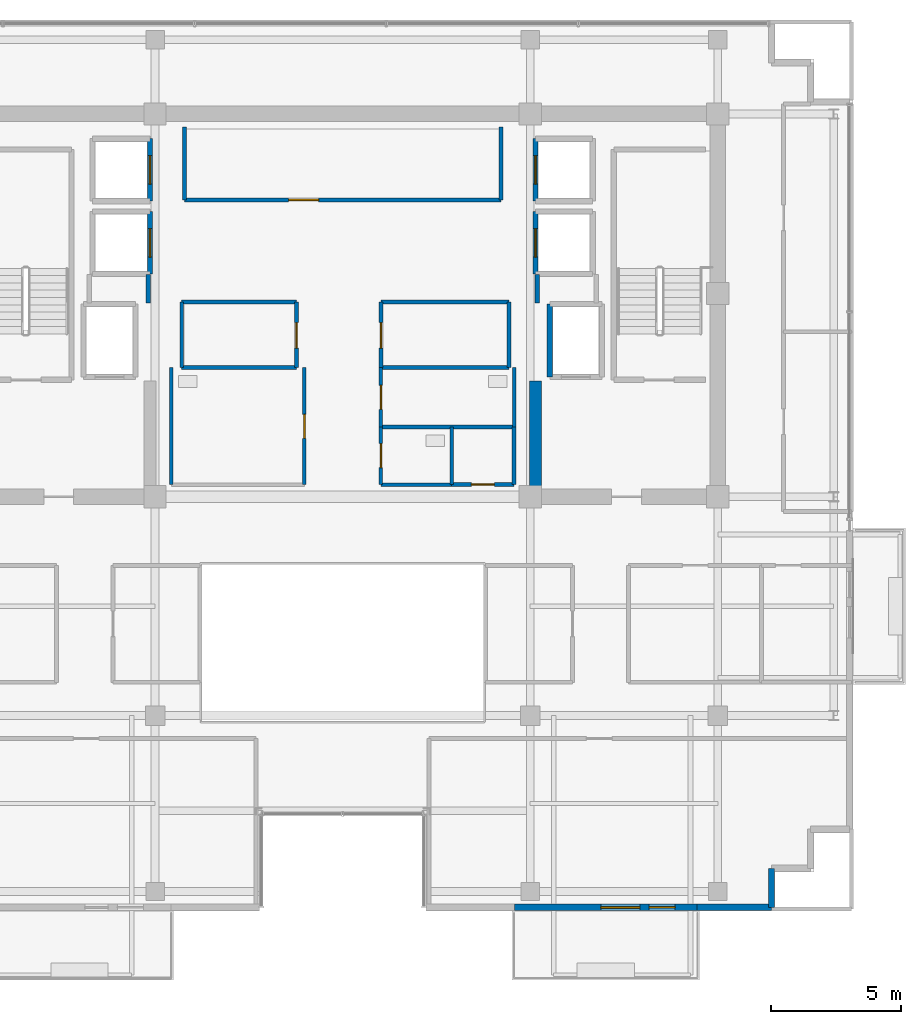
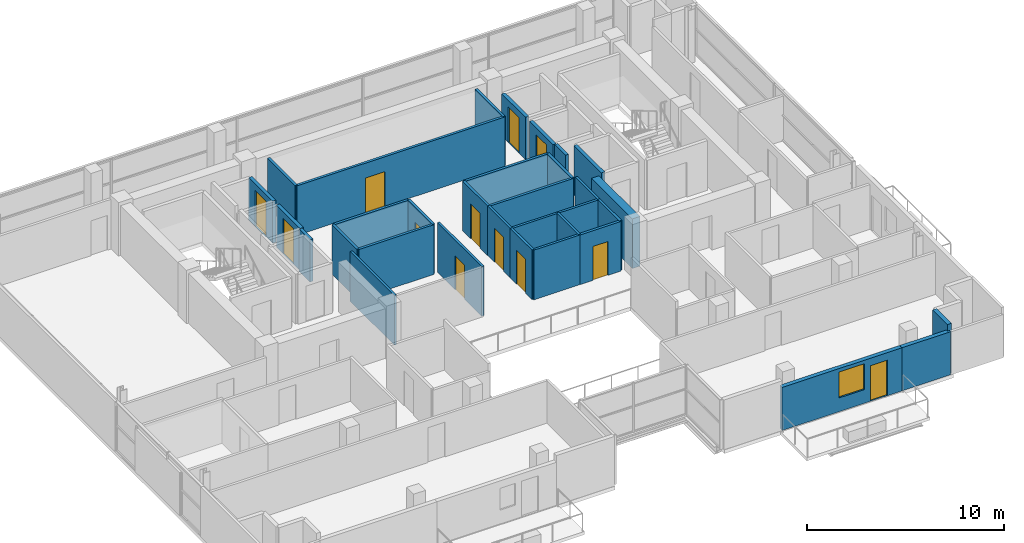
# One storey, part 17 of 23: 32 walls, 12 doors, 1 window, 13 openings.
"""IFC4 building model written with IfcOpenShell, lengths in metres."""

from ifc_helpers import new_model, si_unit, direction, frame, frame_2d, origin, place, context, subcontext, project, spatial, rectangle, extrude, source, transform, mapped, material, layer, layer_set, type_object, element, fill, save


model = new_model("IFC4")

# Units and contexts
model_context = context("Model", 3, precision=1e-05, world=origin(), true_north=direction((0.0, 1.0)))
body_context = subcontext(model_context, "Body", "Model", "MODEL_VIEW")
ifc_project = project(units=[si_unit("LENGTHUNIT", "METRE"), si_unit("AREAUNIT", "SQUARE_METRE"), si_unit("VOLUMEUNIT", "CUBIC_METRE"), si_unit("PLANEANGLEUNIT", "RADIAN"), si_unit("MASSUNIT", "GRAM", prefix="KILO")], contexts=[model_context])

# Site, building, storey
site_placement = place(None, origin())
site = spatial("IfcSite", under=ifc_project, at=site_placement, CompositionType="ELEMENT")
building_placement = place(site_placement, origin())
building = spatial("IfcBuilding", under=site, at=building_placement, Name="Zarnakvel Exchange Tower", CompositionType="ELEMENT")
storey_placement = place(building_placement, frame((0.0, 0.0, 218.800048828125)))
storey = spatial("IfcBuildingStorey", under=building, at=storey_placement, Name="L61", CompositionType="ELEMENT", Elevation=218.800048828125)

# Wall
ifc_material_1 = material(Name="Concrete C50/60", Category="concrete")
ifc_layer_1 = layer(ifc_material_1, 0.449951171875)
ifc_layer_set_1 = layer_set([ifc_layer_1], Name="Concrete C50/60")
wall_type_1 = type_object("IfcWallType", Name="CW-C6", PredefinedType="SHEAR", material=ifc_layer_set_1)
wall_1_placement = place(storey_placement, frame((7.39990234375, -0.89990234375, 0.0), z_axis=(0.0, 0.0, 1.0), x_axis=(0.0, 1.0, 0.0)))
element("IfcWall", 1, at=wall_1_placement, inside=storey, type_object=wall_type_1, Name="L61 Rear Core Shear Wall IE (CW-C6)", PredefinedType="SHEAR", context=body_context, shape_type="SweptSolid", body=[
    extrude(rectangle(XDim=4.14990234375, YDim=0.449951171875, at=frame_2d((2.074951171875, 0.0))), origin(), (0.0, 0.0, 1.0), 3.074951171875),
])

# Wall, openings, door, window
ifc_material_2 = material(Name="Precast concrete C40/50", Category="concrete")
ifc_layer_2 = layer(ifc_material_2, 0.239990234375)
ifc_layer_set_2 = layer_set([ifc_layer_2], Name="Precast concrete C40/50")
wall_type_2 = type_object("IfcWallType", Name="EW-02", PredefinedType="SOLIDWALL", material=ifc_layer_set_2)
wall_2_placement = place(storey_placement, frame((13.60009765625, -16.9599609375, 0.0), z_axis=(0.0, 0.0, 1.0), x_axis=(-1.0, 0.0, 0.0)))
wall_2 = element("IfcWall", 2, at=wall_2_placement, inside=storey, type_object=wall_type_2, Name="L61 Exterior Precast Spandrel Wall EW-BAL-L61-SE (EW-02)", PredefinedType="SOLIDWALL", context=body_context, shape_type="SweptSolid", body=[
    extrude(rectangle(XDim=7.0, YDim=0.239990234375, at=frame_2d((3.5, 0.0))), origin(), (0.0, 0.0, 1.0), 2.6650390625),
])
opening_1_placement = place(wall_2_placement, frame((0.840087890625, 0.0, 0.0)))
opening_1 = element("IfcOpeningElement", 3, at=opening_1_placement, cuts=wall_2, Name="Opening BD-L61-02", PredefinedType="OPENING", context=body_context, shape_type="SweptSolid", body=[
    extrude(rectangle(XDim=1.0, YDim=2.199951171875, at=frame_2d((0.5, 1.10009765625))), frame((0.0, 0.1298828125, 0.0), z_axis=(0.0, -1.0, 0.0), x_axis=(1.0, 0.0, 0.0)), (0.0, 0.0, 1.0), 0.260009765625),
])
opening_2_placement = place(wall_2_placement, frame((2.18994140625, 0.0, 0.85009765625)))
opening_2 = element("IfcOpeningElement", 4, at=opening_2_placement, cuts=wall_2, Name="Opening WN-03", PredefinedType="OPENING", context=body_context, shape_type="SweptSolid", body=[
    extrude(rectangle(XDim=1.5, YDim=1.60009765625, at=frame_2d((0.75, 0.800048828125))), frame((0.0, 0.1298828125, 0.0), z_axis=(0.0, -1.0, 0.0), x_axis=(1.0, 0.0, 0.0)), (0.0, 0.0, 1.0), 0.260009765625),
])
ifc_material_3 = material(Name="Architectural Bronze Anodised Aluminium", Category="aluminium")
door_type_1 = type_object("IfcDoorType", Name="DT-09", OperationType="NOTDEFINED", PredefinedType="DOOR", material=ifc_material_3)
shared_shape_1 = source(origin(), body_context, "Body", "SweptSolid", [
    extrude(rectangle(XDim=1.0, YDim=2.199951171875, at=frame_2d((0.5, 1.10009765625))), frame((0.0, 0.02490234375, 0.0), z_axis=(0.0, -1.0, 0.0), x_axis=(1.0, 0.0, 0.0)), (0.0, 0.0, 1.0), 0.050048828125),
])
door_1_placement = place(opening_1_placement, origin())
door_1 = element("IfcDoor", 5, at=door_1_placement, inside=storey, type_object=door_type_1, Name="L61 Planted Loggia Balcony Door BD-L61-02", OperationType="SINGLE_SWING_RIGHT", OverallHeight=2.199951171875, OverallWidth=1.0, PredefinedType="DOOR", context=body_context, shape_type="MappedRepresentation", body=[
    mapped(shared_shape_1, transform((0.0, 0.0, 0.0), x_axis=(1.0, 0.0, 0.0), y_axis=(0.0, 1.0, 0.0), z_axis=(0.0, 0.0, 1.0), scale=1.0)),
])
fill(opening_1, door_1)
ifc_material_4 = material(Name="Double Low-E Laminated Vision Glass", Category="glass")
window_type = type_object("IfcWindowType", Name="WN-03", PartitioningType="SINGLE_PANEL", PredefinedType="WINDOW", material=ifc_material_4)
shared_shape_2 = source(origin(), body_context, "Body", "SweptSolid", [
    extrude(rectangle(XDim=1.5, YDim=1.60009765625, at=frame_2d((0.75, 0.800048828125))), frame((0.0, 0.030029296875, 0.0), z_axis=(0.0, -1.0, 0.0), x_axis=(1.0, 0.0, 0.0)), (0.0, 0.0, 1.0), 0.06005859375),
])
window_placement = place(opening_2_placement, origin())
window = element("IfcWindow", 6, at=window_placement, inside=storey, type_object=window_type, Name="L61 Loggia Daylight Window (WN-03)", OverallHeight=1.60009765625, OverallWidth=1.5, PartitioningType="SINGLE_PANEL", PredefinedType="WINDOW", context=body_context, shape_type="MappedRepresentation", body=[
    mapped(shared_shape_2, transform((0.0, 0.0, 0.0), x_axis=(1.0, 0.0, 0.0), y_axis=(0.0, 1.0, 0.0), z_axis=(0.0, 0.0, 1.0), scale=1.0)),
])
fill(opening_2, window)

# Walls
wall_3_placement = place(storey_placement, frame((16.4599609375, -16.9599609375, 0.0), z_axis=(0.0, 0.0, 1.0), x_axis=(0.0, 1.0, 0.0)))
element("IfcWall", 7, at=wall_3_placement, inside=storey, type_object=wall_type_2, Name="L61 Exterior Precast Spandrel Wall EWC-L61-14 (EW-02)", PredefinedType="SOLIDWALL", context=body_context, shape_type="SweptSolid", body=[
    extrude(rectangle(XDim=1.5, YDim=0.239990234375, at=frame_2d((0.75, 0.0))), origin(), (0.0, 0.0, 1.0), 3.074951171875),
])
wall_4_placement = place(storey_placement, frame((13.60009765625, -16.9599609375, 0.0), z_axis=(0.0, 0.0, 1.0), x_axis=(1.0, 0.0, 0.0)))
element("IfcWall", 8, at=wall_4_placement, inside=storey, type_object=wall_type_2, Name="L61 Exterior Precast Spandrel Wall EWC-L61-15 (EW-02)", PredefinedType="SOLIDWALL", context=body_context, shape_type="SweptSolid", body=[
    extrude(rectangle(XDim=2.85986328125, YDim=0.239990234375, at=frame_2d((1.429931640625, 0.0))), origin(), (0.0, 0.0, 1.0), 2.6650390625),
])

# Wall, opening, door
ifc_material_5 = material(Name="Fire-Rated Gypsum Stud Partition", Category="gypsum")
ifc_layer_3 = layer(ifc_material_5, 0.14990234375)
ifc_layer_set_3 = layer_set([ifc_layer_3], Name="Fire-Rated Gypsum Stud Partition")
wall_type_3 = type_object("IfcWallType", Name="PT-01", PredefinedType="PARTITIONING", material=ifc_layer_set_3)
wall_5_placement = place(storey_placement, frame((6.080078125, 10.199951171875, 0.0), z_axis=(0.0, 0.0, 1.0), x_axis=(-1.0, 0.0, 0.0)))
wall_5 = element("IfcWall", 9, at=wall_5_placement, inside=storey, type_object=wall_type_3, Name="L61 Partition Wall PWALL-L61-011 (PT-01)", PredefinedType="PARTITIONING", context=body_context, shape_type="SweptSolid", body=[
    extrude(rectangle(XDim=12.16015625, YDim=0.14990234375, at=frame_2d((6.080078125, 0.0))), origin(), (0.0, 0.0, 1.0), 3.074951171875),
])
opening_3_placement = place(wall_5_placement, frame((7.0048828125, 0.0, 0.0)))
opening_3 = element("IfcOpeningElement", 10, at=opening_3_placement, cuts=wall_5, Name="Opening D-L61-05", PredefinedType="OPENING", context=body_context, shape_type="SweptSolid", body=[
    extrude(rectangle(XDim=1.14990234375, YDim=2.14990234375, at=frame_2d((0.574951171875, 1.074951171875))), frame((0.0, 0.0849609375, 0.0), z_axis=(0.0, -1.0, 0.0), x_axis=(1.0, 0.0, 0.0)), (0.0, 0.0, 1.0), 0.169921875),
])
ifc_material_6 = material(Name="Painted Galvanised Steel S355", Category="steel")
door_type_2 = type_object("IfcDoorType", Name="DT-04", OperationType="NOTDEFINED", PredefinedType="DOOR", material=ifc_material_6)
shared_shape_3 = source(origin(), body_context, "Body", "SweptSolid", [
    extrude(rectangle(XDim=1.14990234375, YDim=2.14990234375, at=frame_2d((0.574951171875, 1.074951171875))), frame((0.0, 0.02490234375, 0.0), z_axis=(0.0, -1.0, 0.0), x_axis=(1.0, 0.0, 0.0)), (0.0, 0.0, 1.0), 0.050048828125),
])
door_2_placement = place(opening_3_placement, origin())
door_2 = element("IfcDoor", 11, at=door_2_placement, inside=storey, type_object=door_type_2, Name="L61 Market Data Archive Suite Door D-L61-05", OperationType="SINGLE_SWING_RIGHT", OverallHeight=2.14990234375, OverallWidth=1.14990234375, PredefinedType="DOOR", context=body_context, shape_type="MappedRepresentation", body=[
    mapped(shared_shape_3, transform((0.0, 0.0, 0.0), x_axis=(1.0, 0.0, 0.0), y_axis=(0.0, 1.0, 0.0), z_axis=(0.0, 0.0, 1.0), scale=1.0)),
])
fill(opening_3, door_2)

# Walls
for number, where, z_axis, x_axis, name in (
    (12, (-6.080078125, 10.199951171875, 0.0), (0.0, 0.0, 1.0), (0.0, 1.0, 0.0), "L61 Partition Wall PWALL-L61-012 (PT-01)"),
    (13, (6.080078125, 13.0, 0.0), (0.0, 0.0, 1.0), (0.0, -1.0, 0.0), "L61 Partition Wall PWALL-L61-013 (PT-01)"),
):
    element("IfcWall", number, at=place(storey_placement, frame(where, z_axis=z_axis, x_axis=x_axis)), inside=storey, type_object=wall_type_3, Name=name, PredefinedType="PARTITIONING", context=body_context, shape_type="SweptSolid", body=[
        extrude(rectangle(XDim=2.800048828125, YDim=0.14990234375, at=frame_2d((1.39990234375, 0.0))), origin(), (0.0, 0.0, 1.0), 3.074951171875),
    ])
for number, where, z_axis, x_axis, name in (
    (14, (-1.77001953125, 3.760009765625, 0.0), (0.0, 0.0, 1.0), (-1.0, 0.0, 0.0), "L61 Partition Wall PWALL-L61-014 (PT-01)"),
    (15, (-6.179931640625, 6.280029296875, 0.0), (0.0, 0.0, 1.0), (1.0, 0.0, 0.0), "L61 Partition Wall PWALL-L61-015 (PT-01)"),
):
    element("IfcWall", number, at=place(storey_placement, frame(where, z_axis=z_axis, x_axis=x_axis)), inside=storey, type_object=wall_type_3, Name=name, PredefinedType="PARTITIONING", context=body_context, shape_type="SweptSolid", body=[
        extrude(rectangle(XDim=4.409912109375, YDim=0.14990234375, at=frame_2d((2.205078125, 0.0))), origin(), (0.0, 0.0, 1.0), 3.074951171875),
    ])
wall_6_placement = place(storey_placement, frame((-6.179931640625, 3.760009765625, 0.0), z_axis=(0.0, 0.0, 1.0), x_axis=(0.0, 1.0, 0.0)))
element("IfcWall", 16, at=wall_6_placement, inside=storey, type_object=wall_type_3, Name="L61 Partition Wall PWALL-L61-016 (PT-01)", PredefinedType="PARTITIONING", context=body_context, shape_type="SweptSolid", body=[
    extrude(rectangle(XDim=2.52001953125, YDim=0.14990234375, at=frame_2d((1.260009765625, 0.0))), origin(), (0.0, 0.0, 1.0), 3.074951171875),
])

# Wall, opening, door
wall_7_placement = place(storey_placement, frame((-1.77001953125, 6.280029296875, 0.0), z_axis=(0.0, 0.0, 1.0), x_axis=(0.0, -1.0, 0.0)))
wall_7 = element("IfcWall", 17, at=wall_7_placement, inside=storey, type_object=wall_type_3, Name="L61 Partition Wall PWALL-L61-017 (PT-01)", PredefinedType="PARTITIONING", context=body_context, shape_type="SweptSolid", body=[
    extrude(rectangle(XDim=2.52001953125, YDim=0.14990234375, at=frame_2d((1.260009765625, 0.0))), origin(), (0.0, 0.0, 1.0), 3.074951171875),
])
opening_4_placement = place(wall_7_placement, frame((0.7900390625, 0.0, 0.0)))
opening_4 = element("IfcOpeningElement", 18, at=opening_4_placement, cuts=wall_7, Name="Opening D-L61-06", PredefinedType="OPENING", context=body_context, shape_type="SweptSolid", body=[
    extrude(rectangle(XDim=0.97998046875, YDim=2.14990234375, at=frame_2d((0.489990234375, 1.074951171875))), frame((0.0, 0.0849609375, 0.0), z_axis=(0.0, -1.0, 0.0), x_axis=(1.0, 0.0, 0.0)), (0.0, 0.0, 1.0), 0.169921875),
])
ifc_material_7 = material(Name="Timber Acoustic Veneer", Category="wood")
door_type_3 = type_object("IfcDoorType", Name="DT-05", OperationType="NOTDEFINED", PredefinedType="DOOR", material=ifc_material_7)
shared_shape_4 = source(origin(), body_context, "Body", "SweptSolid", [
    extrude(rectangle(XDim=0.97998046875, YDim=2.14990234375, at=frame_2d((0.489990234375, 1.074951171875))), frame((0.0, 0.02490234375, 0.0), z_axis=(0.0, -1.0, 0.0), x_axis=(1.0, 0.0, 0.0)), (0.0, 0.0, 1.0), 0.050048828125),
])
door_3_placement = place(opening_4_placement, origin())
door_3 = element("IfcDoor", 19, at=door_3_placement, inside=storey, type_object=door_type_3, Name="L61 Sovereign Compliance Office Door D-L61-06", OperationType="SINGLE_SWING_LEFT", OverallHeight=2.14990234375, OverallWidth=0.97998046875, PredefinedType="DOOR", context=body_context, shape_type="MappedRepresentation", body=[
    mapped(shared_shape_4, transform((0.0, 0.0, 0.0), x_axis=(1.0, 0.0, 0.0), y_axis=(0.0, 1.0, 0.0), z_axis=(0.0, 0.0, 1.0), scale=1.0)),
])
fill(opening_4, door_3)

# Walls
for number, where, z_axis, x_axis, name in (
    (20, (6.3798828125, 3.760009765625, 0.0), (0.0, 0.0, 1.0), (-1.0, 0.0, 0.0), "L61 Partition Wall PWALL-L61-018 (PT-01)"),
    (21, (1.469970703125, 6.280029296875, 0.0), (0.0, 0.0, 1.0), (1.0, 0.0, 0.0), "L61 Partition Wall PWALL-L61-019 (PT-01)"),
):
    element("IfcWall", number, at=place(storey_placement, frame(where, z_axis=z_axis, x_axis=x_axis)), inside=storey, type_object=wall_type_3, Name=name, PredefinedType="PARTITIONING", context=body_context, shape_type="SweptSolid", body=[
        extrude(rectangle(XDim=4.909912109375, YDim=0.14990234375, at=frame_2d((2.455078125, 0.0))), origin(), (0.0, 0.0, 1.0), 3.074951171875),
    ])

# Wall, opening, door
wall_8_placement = place(storey_placement, frame((1.469970703125, 3.760009765625, 0.0), z_axis=(0.0, 0.0, 1.0), x_axis=(0.0, 1.0, 0.0)))
wall_8 = element("IfcWall", 22, at=wall_8_placement, inside=storey, type_object=wall_type_3, Name="L61 Partition Wall PWALL-L61-020 (PT-01)", PredefinedType="PARTITIONING", context=body_context, shape_type="SweptSolid", body=[
    extrude(rectangle(XDim=2.52001953125, YDim=0.14990234375, at=frame_2d((1.260009765625, 0.0))), origin(), (0.0, 0.0, 1.0), 3.074951171875),
])
opening_5_placement = place(wall_8_placement, frame((0.75, 0.0, 0.0)))
opening_5 = element("IfcOpeningElement", 23, at=opening_5_placement, cuts=wall_8, Name="Opening D-L61-07", PredefinedType="OPENING", context=body_context, shape_type="SweptSolid", body=[
    extrude(rectangle(XDim=0.97998046875, YDim=2.14990234375, at=frame_2d((0.489990234375, 1.074951171875))), frame((0.0, 0.0849609375, 0.0), z_axis=(0.0, -1.0, 0.0), x_axis=(1.0, 0.0, 0.0)), (0.0, 0.0, 1.0), 0.169921875),
])
door_4_placement = place(opening_5_placement, origin())
door_4 = element("IfcDoor", 24, at=door_4_placement, inside=storey, type_object=door_type_3, Name="L61 Depository Legal Office Door D-L61-07", OperationType="SINGLE_SWING_RIGHT", OverallHeight=2.14990234375, OverallWidth=0.97998046875, PredefinedType="DOOR", context=body_context, shape_type="MappedRepresentation", body=[
    mapped(shared_shape_4, transform((0.0, 0.0, 0.0), x_axis=(1.0, 0.0, 0.0), y_axis=(0.0, 1.0, 0.0), z_axis=(0.0, 0.0, 1.0), scale=1.0)),
])
fill(opening_5, door_4)

# Wall
wall_9_placement = place(storey_placement, frame((6.3798828125, 6.280029296875, 0.0), z_axis=(0.0, 0.0, 1.0), x_axis=(0.0, -1.0, 0.0)))
element("IfcWall", 25, at=wall_9_placement, inside=storey, type_object=wall_type_3, Name="L61 Partition Wall PWALL-L61-021 (PT-01)", PredefinedType="PARTITIONING", context=body_context, shape_type="SweptSolid", body=[
    extrude(rectangle(XDim=2.52001953125, YDim=0.14990234375, at=frame_2d((1.260009765625, 0.0))), origin(), (0.0, 0.0, 1.0), 3.074951171875),
])

# Wall, opening, door
wall_10_placement = place(storey_placement, frame((6.580078125, -0.72998046875, 0.0), z_axis=(0.0, 0.0, 1.0), x_axis=(-1.0, 0.0, 0.0)))
wall_10 = element("IfcWall", 26, at=wall_10_placement, inside=storey, type_object=wall_type_3, Name="L61 Partition Wall PWALL-L61-031 (PT-01)", PredefinedType="PARTITIONING", context=body_context, shape_type="SweptSolid", body=[
    extrude(rectangle(XDim=2.400146484375, YDim=0.14990234375, at=frame_2d((1.2001953125, 0.0))), origin(), (0.0, 0.0, 1.0), 3.074951171875),
])
opening_6_placement = place(wall_10_placement, frame((0.760009765625, 0.0, 0.0)))
opening_6 = element("IfcOpeningElement", 27, at=opening_6_placement, cuts=wall_10, Name="Opening D-L61-11", PredefinedType="OPENING", context=body_context, shape_type="SweptSolid", body=[
    extrude(rectangle(XDim=0.8798828125, YDim=2.10009765625, at=frame_2d((0.43994140625, 1.050048828125))), frame((0.0, 0.0849609375, 0.0), z_axis=(0.0, -1.0, 0.0), x_axis=(1.0, 0.0, 0.0)), (0.0, 0.0, 1.0), 0.169921875),
])
door_type_4 = type_object("IfcDoorType", Name="DT-08", OperationType="NOTDEFINED", PredefinedType="DOOR", material=ifc_material_6)
shared_shape_5 = source(origin(), body_context, "Body", "SweptSolid", [
    extrude(rectangle(XDim=0.8798828125, YDim=2.10009765625, at=frame_2d((0.43994140625, 1.050048828125))), frame((0.0, 0.02490234375, 0.0), z_axis=(0.0, -1.0, 0.0), x_axis=(1.0, 0.0, 0.0)), (0.0, 0.0, 1.0), 0.050048828125),
])
door_5_placement = place(opening_6_placement, origin())
door_5 = element("IfcDoor", 28, at=door_5_placement, inside=storey, type_object=door_type_4, Name="L61 Cleaners Store Door D-L61-11", OperationType="SINGLE_SWING_RIGHT", OverallHeight=2.10009765625, OverallWidth=0.8798828125, PredefinedType="DOOR", context=body_context, shape_type="MappedRepresentation", body=[
    mapped(shared_shape_5, transform((0.0, 0.0, 0.0), x_axis=(1.0, 0.0, 0.0), y_axis=(0.0, 1.0, 0.0), z_axis=(0.0, 0.0, 1.0), scale=1.0)),
])
fill(opening_6, door_5)

# Walls
wall_11_placement = place(storey_placement, frame((6.580078125, 1.47998046875, 0.0), z_axis=(0.0, 0.0, 1.0), x_axis=(0.0, -1.0, 0.0)))
element("IfcWall", 29, at=wall_11_placement, inside=storey, type_object=wall_type_3, Name="L61 Partition Wall PWALL-L61-032 (PT-01)", PredefinedType="PARTITIONING", context=body_context, shape_type="SweptSolid", body=[
    extrude(rectangle(XDim=2.2099609375, YDim=0.14990234375, at=frame_2d((1.10498046875, 0.0))), origin(), (0.0, 0.0, 1.0), 3.074951171875),
])
ifc_layer_4 = layer(ifc_material_5, 0.179931640625)
ifc_layer_set_4 = layer_set([ifc_layer_4], Name="Fire-Rated Gypsum Stud Partition")
wall_type_4 = type_object("IfcWallType", Name="PT-02", PredefinedType="PARTITIONING", material=ifc_layer_set_4)
for number, where, z_axis, x_axis, name in (
    (30, (-7.469970703125, 7.330078125, 0.0), (0.0, 0.0, 1.0), (0.0, -1.0, 0.0), "L61 Partition Wall PWALL-L61-008 (PT-02)"),
    (31, (7.469970703125, 6.239990234375, 0.0), (0.0, 0.0, 1.0), (0.0, 1.0, 0.0), "L61 Partition Wall PWALL-L61-009 (PT-02)"),
):
    element("IfcWall", number, at=place(storey_placement, frame(where, z_axis=z_axis, x_axis=x_axis)), inside=storey, type_object=wall_type_4, Name=name, PredefinedType="PARTITIONING", context=body_context, shape_type="SweptSolid", body=[
        extrude(rectangle(XDim=1.090087890625, YDim=0.179931640625, at=frame_2d((0.544921875, 0.0))), origin(), (0.0, 0.0, 1.0), 2.614990234375),
    ])
ifc_material_8 = material(Name="Moisture-Resistant Tile-Faced Partition", Category="gypsum")
ifc_layer_5 = layer(ifc_material_8, 0.135009765625)
ifc_layer_set_5 = layer_set([ifc_layer_5], Name="Moisture-Resistant Tile-Faced Partition")
wall_type_5 = type_object("IfcWallType", Name="PT-03", PredefinedType="PARTITIONING", material=ifc_layer_set_5)
wall_12_placement = place(storey_placement, frame((-6.580078125, -0.72998046875, 0.0), z_axis=(0.0, 0.0, 1.0), x_axis=(0.0, 1.0, 0.0)))
element("IfcWall", 32, at=wall_12_placement, inside=storey, type_object=wall_type_5, Name="L61 Partition Wall PWALL-L61-023 (PT-03)", PredefinedType="PARTITIONING", context=body_context, shape_type="SweptSolid", body=[
    extrude(rectangle(XDim=4.489990234375, YDim=0.135009765625, at=frame_2d((2.2451171875, 0.0))), origin(), (0.0, 0.0, 1.0), 3.074951171875),
])

# Wall, opening, door
wall_13_placement = place(storey_placement, frame((-1.469970703125, 3.760009765625, 0.0), z_axis=(0.0, 0.0, 1.0), x_axis=(0.0, -1.0, 0.0)))
wall_13 = element("IfcWall", 33, at=wall_13_placement, inside=storey, type_object=wall_type_5, Name="L61 Partition Wall PWALL-L61-024 (PT-03)", PredefinedType="PARTITIONING", context=body_context, shape_type="SweptSolid", body=[
    extrude(rectangle(XDim=4.489990234375, YDim=0.135009765625, at=frame_2d((2.2451171875, 0.0))), origin(), (0.0, 0.0, 1.0), 3.074951171875),
])
opening_7_placement = place(wall_13_placement, frame((1.800048828125, 0.0, 0.0)))
opening_7 = element("IfcOpeningElement", 34, at=opening_7_placement, cuts=wall_13, Name="Opening D-L61-08", PredefinedType="OPENING", context=body_context, shape_type="SweptSolid", body=[
    extrude(rectangle(XDim=0.919921875, YDim=2.10009765625, at=frame_2d((0.4599609375, 1.050048828125))), frame((0.0, 0.077392578125, 0.0), z_axis=(0.0, -1.0, 0.0), x_axis=(1.0, 0.0, 0.0)), (0.0, 0.0, 1.0), 0.155029296875),
])
ifc_material_9 = material(Name="Moisture-Resistant Laminate Timber", Category="wood")
door_type_5 = type_object("IfcDoorType", Name="DT-07", OperationType="NOTDEFINED", PredefinedType="DOOR", material=ifc_material_9)
shared_shape_6 = source(origin(), body_context, "Body", "SweptSolid", [
    extrude(rectangle(XDim=0.919921875, YDim=2.10009765625, at=frame_2d((0.4599609375, 1.050048828125))), frame((0.0, 0.02490234375, 0.0), z_axis=(0.0, -1.0, 0.0), x_axis=(1.0, 0.0, 0.0)), (0.0, 0.0, 1.0), 0.050048828125),
])
door_6_placement = place(opening_7_placement, origin())
door_6 = element("IfcDoor", 35, at=door_6_placement, inside=storey, type_object=door_type_5, Name="L61 Male Toilet Door D-L61-08", OperationType="SINGLE_SWING_LEFT", OverallHeight=2.10009765625, OverallWidth=0.919921875, PredefinedType="DOOR", context=body_context, shape_type="MappedRepresentation", body=[
    mapped(shared_shape_6, transform((0.0, 0.0, 0.0), x_axis=(1.0, 0.0, 0.0), y_axis=(0.0, 1.0, 0.0), z_axis=(0.0, 0.0, 1.0), scale=1.0)),
])
fill(opening_7, door_6)

# Wall
wall_14_placement = place(storey_placement, frame((6.580078125, 1.47998046875, 0.0), z_axis=(0.0, 0.0, 1.0), x_axis=(-1.0, 0.0, 0.0)))
element("IfcWall", 36, at=wall_14_placement, inside=storey, type_object=wall_type_5, Name="L61 Partition Wall PWALL-L61-025 (PT-03)", PredefinedType="PARTITIONING", context=body_context, shape_type="SweptSolid", body=[
    extrude(rectangle(XDim=5.110107421875, YDim=0.135009765625, at=frame_2d((2.55517578125, 0.0))), origin(), (0.0, 0.0, 1.0), 3.074951171875),
])

# Wall, opening, door
wall_15_placement = place(storey_placement, frame((1.469970703125, 1.47998046875, 0.0), z_axis=(0.0, 0.0, 1.0), x_axis=(0.0, 1.0, 0.0)))
wall_15 = element("IfcWall", 37, at=wall_15_placement, inside=storey, type_object=wall_type_5, Name="L61 Partition Wall PWALL-L61-026 (PT-03)", PredefinedType="PARTITIONING", context=body_context, shape_type="SweptSolid", body=[
    extrude(rectangle(XDim=2.280029296875, YDim=0.135009765625, at=frame_2d((1.14013671875, 0.0))), origin(), (0.0, 0.0, 1.0), 3.074951171875),
])
opening_8_placement = place(wall_15_placement, frame((0.679931640625, 0.0, 0.0)))
opening_8 = element("IfcOpeningElement", 38, at=opening_8_placement, cuts=wall_15, Name="Opening D-L61-09", PredefinedType="OPENING", context=body_context, shape_type="SweptSolid", body=[
    extrude(rectangle(XDim=0.919921875, YDim=2.10009765625, at=frame_2d((0.4599609375, 1.050048828125))), frame((0.0, 0.077392578125, 0.0), z_axis=(0.0, -1.0, 0.0), x_axis=(1.0, 0.0, 0.0)), (0.0, 0.0, 1.0), 0.155029296875),
])
door_7_placement = place(opening_8_placement, origin())
door_7 = element("IfcDoor", 39, at=door_7_placement, inside=storey, type_object=door_type_5, Name="L61 Female Toilet Door D-L61-09", OperationType="SINGLE_SWING_RIGHT", OverallHeight=2.10009765625, OverallWidth=0.919921875, PredefinedType="DOOR", context=body_context, shape_type="MappedRepresentation", body=[
    mapped(shared_shape_6, transform((0.0, 0.0, 0.0), x_axis=(1.0, 0.0, 0.0), y_axis=(0.0, 1.0, 0.0), z_axis=(0.0, 0.0, 1.0), scale=1.0)),
])
fill(opening_8, door_7)

# Walls
wall_16_placement = place(storey_placement, frame((6.580078125, 3.760009765625, 0.0), z_axis=(0.0, 0.0, 1.0), x_axis=(0.0, -1.0, 0.0)))
element("IfcWall", 40, at=wall_16_placement, inside=storey, type_object=wall_type_5, Name="L61 Partition Wall PWALL-L61-027 (PT-03)", PredefinedType="PARTITIONING", context=body_context, shape_type="SweptSolid", body=[
    extrude(rectangle(XDim=2.280029296875, YDim=0.135009765625, at=frame_2d((1.14013671875, 0.0))), origin(), (0.0, 0.0, 1.0), 3.074951171875),
])
wall_17_placement = place(storey_placement, frame((4.179931640625, -0.72998046875, 0.0), z_axis=(0.0, 0.0, 1.0), x_axis=(-1.0, 0.0, 0.0)))
element("IfcWall", 41, at=wall_17_placement, inside=storey, type_object=wall_type_5, Name="L61 Partition Wall PWALL-L61-028 (PT-03)", PredefinedType="PARTITIONING", context=body_context, shape_type="SweptSolid", body=[
    extrude(rectangle(XDim=2.7099609375, YDim=0.135009765625, at=frame_2d((1.35498046875, 0.0))), origin(), (0.0, 0.0, 1.0), 3.074951171875),
])

# Wall, opening, door
wall_18_placement = place(storey_placement, frame((1.469970703125, -0.72998046875, 0.0), z_axis=(0.0, 0.0, 1.0), x_axis=(0.0, 1.0, 0.0)))
wall_18 = element("IfcWall", 42, at=wall_18_placement, inside=storey, type_object=wall_type_5, Name="L61 Partition Wall PWALL-L61-029 (PT-03)", PredefinedType="PARTITIONING", context=body_context, shape_type="SweptSolid", body=[
    extrude(rectangle(XDim=2.2099609375, YDim=0.135009765625, at=frame_2d((1.10498046875, 0.0))), origin(), (0.0, 0.0, 1.0), 3.074951171875),
])
opening_9_placement = place(wall_18_placement, frame((0.64990234375, 0.0, 0.0)))
opening_9 = element("IfcOpeningElement", 43, at=opening_9_placement, cuts=wall_18, Name="Opening D-L61-10", PredefinedType="OPENING", context=body_context, shape_type="SweptSolid", body=[
    extrude(rectangle(XDim=0.919921875, YDim=2.10009765625, at=frame_2d((0.4599609375, 1.050048828125))), frame((0.0, 0.077392578125, 0.0), z_axis=(0.0, -1.0, 0.0), x_axis=(1.0, 0.0, 0.0)), (0.0, 0.0, 1.0), 0.155029296875),
])
door_8_placement = place(opening_9_placement, origin())
door_8 = element("IfcDoor", 44, at=door_8_placement, inside=storey, type_object=door_type_5, Name="L61 Accessible Toilet Door D-L61-10", OperationType="SINGLE_SWING_LEFT", OverallHeight=2.10009765625, OverallWidth=0.919921875, PredefinedType="DOOR", context=body_context, shape_type="MappedRepresentation", body=[
    mapped(shared_shape_6, transform((0.0, 0.0, 0.0), x_axis=(1.0, 0.0, 0.0), y_axis=(0.0, 1.0, 0.0), z_axis=(0.0, 0.0, 1.0), scale=1.0)),
])
fill(opening_9, door_8)

# Walls
wall_19_placement = place(storey_placement, frame((4.179931640625, 1.47998046875, 0.0), z_axis=(0.0, 0.0, 1.0), x_axis=(0.0, -1.0, 0.0)))
element("IfcWall", 45, at=wall_19_placement, inside=storey, type_object=wall_type_5, Name="L61 Partition Wall PWALL-L61-030 (PT-03)", PredefinedType="PARTITIONING", context=body_context, shape_type="SweptSolid", body=[
    extrude(rectangle(XDim=2.2099609375, YDim=0.135009765625, at=frame_2d((1.10498046875, 0.0))), origin(), (0.0, 0.0, 1.0), 3.074951171875),
])
ifc_material_10 = material(Name="Concrete C40/50", Category="concrete")
ifc_layer_6 = layer(ifc_material_10, 0.199951171875)
ifc_layer_set_6 = layer_set([ifc_layer_6], Name="Concrete C40/50")
wall_type_6 = type_object("IfcWallType", Name="SW-01", PredefinedType="SOLIDWALL", material=ifc_layer_set_6)
wall_20_placement = place(storey_placement, frame((7.949951171875, 3.39990234375, 0.0), z_axis=(0.0, 0.0, 1.0), x_axis=(0.0, 1.0, 0.0)))
element("IfcWall", 46, at=wall_20_placement, inside=storey, type_object=wall_type_6, Name="L61 FL-02 Hoistway Wall West", PredefinedType="SOLIDWALL", context=body_context, shape_type="SweptSolid", body=[
    extrude(rectangle(XDim=2.800048828125, YDim=0.199951171875, at=frame_2d((1.39990234375, 0.0))), origin(), (0.0, 0.0, 1.0), 3.074951171875),
])

# Wall, opening, door
wall_21_placement = place(storey_placement, frame((-7.39990234375, 9.75, 0.0), z_axis=(0.0, 0.0, 1.0), x_axis=(0.0, -1.0, 0.0)))
wall_21 = element("IfcWall", 47, at=wall_21_placement, inside=storey, type_object=wall_type_6, Name="L61 PL-09 Hoistway Wall East", PredefinedType="SOLIDWALL", context=body_context, shape_type="SweptSolid", body=[
    extrude(rectangle(XDim=2.39990234375, YDim=0.199951171875, at=frame_2d((1.199951171875, 0.0))), origin(), (0.0, 0.0, 1.0), 2.614990234375),
])
opening_10_placement = place(wall_21_placement, frame((0.64990234375, 0.0, 0.0)))
opening_10 = element("IfcOpeningElement", 48, at=opening_10_placement, cuts=wall_21, Name="Opening LD-PL-09-L61", PredefinedType="OPENING", context=body_context, shape_type="SweptSolid", body=[
    extrude(rectangle(XDim=1.10009765625, YDim=2.199951171875, at=frame_2d((0.550048828125, 1.10009765625))), frame((0.0, 0.10986328125, 0.0), z_axis=(0.0, -1.0, 0.0), x_axis=(1.0, 0.0, 0.0)), (0.0, 0.0, 1.0), 0.219970703125),
])
door_type_6 = type_object("IfcDoorType", Name="LDT-02", OperationType="NOTDEFINED", PredefinedType="DOOR", material=ifc_material_3)
shared_shape_7 = source(origin(), body_context, "Body", "SweptSolid", [
    extrude(rectangle(XDim=1.10009765625, YDim=2.199951171875, at=frame_2d((0.550048828125, 1.10009765625))), frame((0.0, 0.02490234375, 0.0), z_axis=(0.0, -1.0, 0.0), x_axis=(1.0, 0.0, 0.0)), (0.0, 0.0, 1.0), 0.050048828125),
])
door_9_placement = place(opening_10_placement, origin())
door_9 = element("IfcDoor", 49, at=door_9_placement, inside=storey, type_object=door_type_6, Name="L61 PL-09 Lift Landing Door LD-PL-09-L61", OperationType="DOUBLE_DOOR_SLIDING", OverallHeight=2.199951171875, OverallWidth=1.10009765625, PredefinedType="DOOR", context=body_context, shape_type="MappedRepresentation", body=[
    mapped(shared_shape_7, transform((0.0, 0.0, 0.0), x_axis=(1.0, 0.0, 0.0), y_axis=(0.0, 1.0, 0.0), z_axis=(0.0, 0.0, 1.0), scale=1.0)),
])
fill(opening_10, door_9)

wall_22_placement = place(storey_placement, frame((-7.39990234375, 12.550048828125, 0.0), z_axis=(0.0, 0.0, 1.0), x_axis=(0.0, -1.0, 0.0)))
wall_22 = element("IfcWall", 50, at=wall_22_placement, inside=storey, type_object=wall_type_6, Name="L61 PL-10 Hoistway Wall East", PredefinedType="SOLIDWALL", context=body_context, shape_type="SweptSolid", body=[
    extrude(rectangle(XDim=2.400146484375, YDim=0.199951171875, at=frame_2d((1.2001953125, 0.0))), origin(), (0.0, 0.0, 1.0), 2.614990234375),
])
opening_11_placement = place(wall_22_placement, frame((0.64990234375, 0.0, 0.0)))
opening_11 = element("IfcOpeningElement", 51, at=opening_11_placement, cuts=wall_22, Name="Opening LD-PL-10-L61", PredefinedType="OPENING", context=body_context, shape_type="SweptSolid", body=[
    extrude(rectangle(XDim=1.10009765625, YDim=2.199951171875, at=frame_2d((0.550048828125, 1.10009765625))), frame((0.0, 0.10986328125, 0.0), z_axis=(0.0, -1.0, 0.0), x_axis=(1.0, 0.0, 0.0)), (0.0, 0.0, 1.0), 0.219970703125),
])
door_10_placement = place(opening_11_placement, origin())
door_10 = element("IfcDoor", 52, at=door_10_placement, inside=storey, type_object=door_type_6, Name="L61 PL-10 Lift Landing Door LD-PL-10-L61", OperationType="DOUBLE_DOOR_SLIDING", OverallHeight=2.199951171875, OverallWidth=1.10009765625, PredefinedType="DOOR", context=body_context, shape_type="MappedRepresentation", body=[
    mapped(shared_shape_7, transform((0.0, 0.0, 0.0), x_axis=(1.0, 0.0, 0.0), y_axis=(0.0, 1.0, 0.0), z_axis=(0.0, 0.0, 1.0), scale=1.0)),
])
fill(opening_11, door_10)

wall_23_placement = place(storey_placement, frame((7.39990234375, 7.35009765625, 0.0), z_axis=(0.0, 0.0, 1.0), x_axis=(0.0, 1.0, 0.0)))
wall_23 = element("IfcWall", 53, at=wall_23_placement, inside=storey, type_object=wall_type_6, Name="L61 PL-11 Hoistway Wall West", PredefinedType="SOLIDWALL", context=body_context, shape_type="SweptSolid", body=[
    extrude(rectangle(XDim=2.39990234375, YDim=0.199951171875, at=frame_2d((1.199951171875, 0.0))), origin(), (0.0, 0.0, 1.0), 2.614990234375),
])
opening_12_placement = place(wall_23_placement, frame((0.64990234375, 0.0, 0.0)))
opening_12 = element("IfcOpeningElement", 54, at=opening_12_placement, cuts=wall_23, Name="Opening LD-PL-11-L61", PredefinedType="OPENING", context=body_context, shape_type="SweptSolid", body=[
    extrude(rectangle(XDim=1.10009765625, YDim=2.199951171875, at=frame_2d((0.550048828125, 1.10009765625))), frame((0.0, 0.10986328125, 0.0), z_axis=(0.0, -1.0, 0.0), x_axis=(1.0, 0.0, 0.0)), (0.0, 0.0, 1.0), 0.219970703125),
])
door_11_placement = place(opening_12_placement, origin())
door_11 = element("IfcDoor", 55, at=door_11_placement, inside=storey, type_object=door_type_6, Name="L61 PL-11 Lift Landing Door LD-PL-11-L61", OperationType="DOUBLE_DOOR_SLIDING", OverallHeight=2.199951171875, OverallWidth=1.10009765625, PredefinedType="DOOR", context=body_context, shape_type="MappedRepresentation", body=[
    mapped(shared_shape_7, transform((0.0, 0.0, 0.0), x_axis=(1.0, 0.0, 0.0), y_axis=(0.0, 1.0, 0.0), z_axis=(0.0, 0.0, 1.0), scale=1.0)),
])
fill(opening_12, door_11)

wall_24_placement = place(storey_placement, frame((7.39990234375, 10.14990234375, 0.0), z_axis=(0.0, 0.0, 1.0), x_axis=(0.0, 1.0, 0.0)))
wall_24 = element("IfcWall", 56, at=wall_24_placement, inside=storey, type_object=wall_type_6, Name="L61 PL-12 Hoistway Wall West", PredefinedType="SOLIDWALL", context=body_context, shape_type="SweptSolid", body=[
    extrude(rectangle(XDim=2.400146484375, YDim=0.199951171875, at=frame_2d((1.2001953125, 0.0))), origin(), (0.0, 0.0, 1.0), 2.614990234375),
])
opening_13_placement = place(wall_24_placement, frame((0.64990234375, 0.0, 0.0)))
opening_13 = element("IfcOpeningElement", 57, at=opening_13_placement, cuts=wall_24, Name="Opening LD-PL-12-L61", PredefinedType="OPENING", context=body_context, shape_type="SweptSolid", body=[
    extrude(rectangle(XDim=1.10009765625, YDim=2.199951171875, at=frame_2d((0.550048828125, 1.10009765625))), frame((0.0, 0.10986328125, 0.0), z_axis=(0.0, -1.0, 0.0), x_axis=(1.0, 0.0, 0.0)), (0.0, 0.0, 1.0), 0.219970703125),
])
door_12_placement = place(opening_13_placement, origin())
door_12 = element("IfcDoor", 58, at=door_12_placement, inside=storey, type_object=door_type_6, Name="L61 PL-12 Lift Landing Door LD-PL-12-L61", OperationType="DOUBLE_DOOR_SLIDING", OverallHeight=2.199951171875, OverallWidth=1.10009765625, PredefinedType="DOOR", context=body_context, shape_type="MappedRepresentation", body=[
    mapped(shared_shape_7, transform((0.0, 0.0, 0.0), x_axis=(1.0, 0.0, 0.0), y_axis=(0.0, 1.0, 0.0), z_axis=(0.0, 0.0, 1.0), scale=1.0)),
])
fill(opening_13, door_12)

save(model, "model.ifc")
